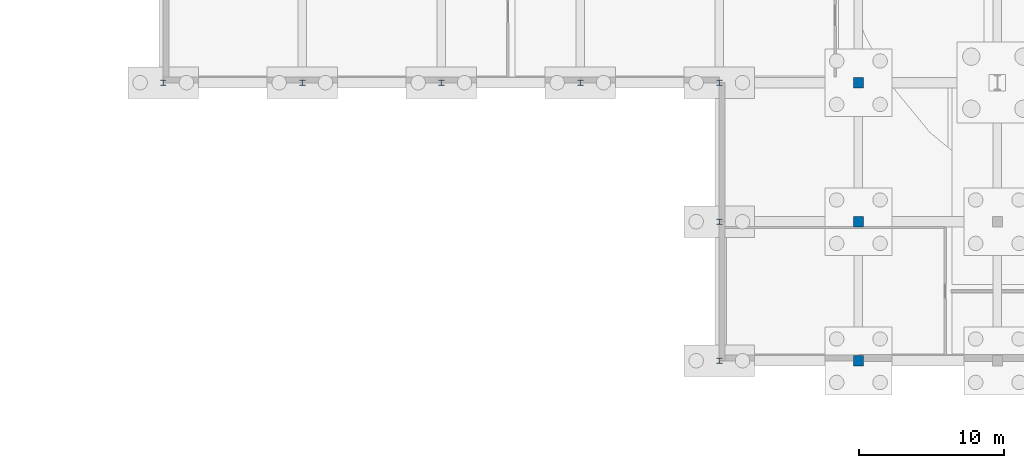
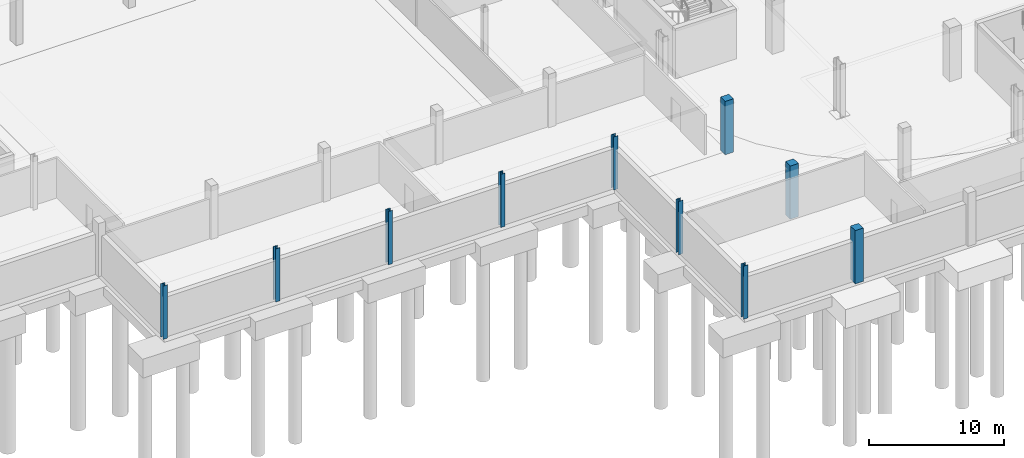
# One storey, part 13 of 67: 10 columns.
"""IFC4 building model written with IfcOpenShell, lengths in metres."""

from ifc_helpers import new_model, si_unit, direction, frame, origin, origin_2d, place, context, subcontext, project, spatial, rectangle, i_section, extrude, material, material_profile, profile_set, type_object, element, save


model = new_model("IFC4")

# Units and contexts
model_context = context("Model", 3, precision=1e-05, world=origin(), true_north=direction((0.0, 1.0)))
body_context = subcontext(model_context, "Body", "Model", "MODEL_VIEW")
ifc_project = project(units=[si_unit("LENGTHUNIT", "METRE"), si_unit("AREAUNIT", "SQUARE_METRE"), si_unit("VOLUMEUNIT", "CUBIC_METRE"), si_unit("PLANEANGLEUNIT", "RADIAN"), si_unit("MASSUNIT", "GRAM", prefix="KILO")], contexts=[model_context])

# Site, building, storey
site_placement = place(None, origin())
site = spatial("IfcSite", under=ifc_project, at=site_placement, CompositionType="ELEMENT")
building_placement = place(site_placement, origin())
building = spatial("IfcBuilding", under=site, at=building_placement, Name="Caelomonte Colonnade Arena", CompositionType="ELEMENT")
storey_placement = place(building_placement, frame((0.0, 0.0, -4.800048828125)))
storey = spatial("IfcBuildingStorey", under=building, at=storey_placement, Name="B1", CompositionType="ELEMENT", Elevation=-4.800048828125)

# Columns
ifc_material_1 = material(Name="Concrete C40/50", Category="concrete")
ifc_material_profile_1 = material_profile(ifc_material_1, rectangle(XDim=0.699951171875, YDim=0.699951171875, at=origin_2d()), Name="RC700X700")
ifc_profile_set_1 = profile_set([ifc_material_profile_1], Name="Concrete C40/50")
column_type_1 = type_object("IfcColumnType", Name="STR-COL-RC07", PredefinedType="COLUMN", material=ifc_profile_set_1)
for number, where, z_axis, x_axis, name in (
    (1, (57.60009765625, 9.60009765625, 0.0), (0.0, 0.0, 1.0), (1.0, 0.0, 0.0), "B1 column (57.6, 9.6)"),
    (2, (57.60009765625, 19.199951171875, 0.0), (0.0, 0.0, 1.0), (1.0, 0.0, 0.0), "B1 column (57.6, 19.2)"),
    (3, (57.60009765625, 28.800048828125, 0.0), (0.0, 0.0, 1.0), (1.0, 0.0, 0.0), "B1 column (57.6, 28.8)"),
):
    element("IfcColumn", number, at=place(storey_placement, frame(where, z_axis=z_axis, x_axis=x_axis)), inside=storey, type_object=column_type_1, Name=name, PredefinedType="COLUMN", context=body_context, shape_type="SweptSolid", body=[
        extrude(rectangle(XDim=0.699951171875, YDim=0.699951171875, at=origin_2d()), origin(), (0.0, 0.0, 1.0), 4.800048828125),
    ])
ifc_material_2 = material(Name="Wide-flange steel ASTM A992 Grade 50", Category="steel")
ifc_material_profile_2 = material_profile(ifc_material_2, i_section(OverallWidth=0.3740234375, OverallDepth=0.372314453125, WebThickness=0.016357421875, FlangeThickness=0.026123046875, FilletRadius=0.01513671875, at=origin_2d()), Name="W14X132")
ifc_profile_set_2 = profile_set([ifc_material_profile_2], Name="Wide-flange steel ASTM A992 Grade 50")
column_type_2 = type_object("IfcColumnType", Name="STR-COL-W14A", PredefinedType="COLUMN", material=ifc_profile_set_2)
for number, where, z_axis, x_axis, name in (
    (4, (9.60009765625, 28.800048828125, 0.0), (0.0, 0.0, 1.0), (1.0, 0.0, 0.0), "B1 column (9.6, 28.8)"),
    (5, (19.199951171875, 28.800048828125, 0.0), (0.0, 0.0, 1.0), (1.0, 0.0, 0.0), "B1 column (19.2, 28.8)"),
    (6, (28.800048828125, 28.800048828125, 0.0), (0.0, 0.0, 1.0), (1.0, 0.0, 0.0), "B1 column (28.8, 28.8)"),
    (7, (38.39990234375, 28.800048828125, 0.0), (0.0, 0.0, 1.0), (1.0, 0.0, 0.0), "B1 column (38.4, 28.8)"),
    (8, (48.0, 9.60009765625, 0.0), (0.0, 0.0, 1.0), (1.0, 0.0, 0.0), "B1 column (48.0, 9.6)"),
    (9, (48.0, 19.199951171875, 0.0), (0.0, 0.0, 1.0), (1.0, 0.0, 0.0), "B1 column (48.0, 19.2)"),
    (10, (48.0, 28.800048828125, 0.0), (0.0, 0.0, 1.0), (1.0, 0.0, 0.0), "B1 column (48.0, 28.8)"),
):
    element("IfcColumn", number, at=place(storey_placement, frame(where, z_axis=z_axis, x_axis=x_axis)), inside=storey, type_object=column_type_2, Name=name, PredefinedType="COLUMN", context=body_context, shape_type="SweptSolid", body=[
        extrude(i_section(OverallWidth=0.3740234375, OverallDepth=0.372314453125, WebThickness=0.016357421875, FlangeThickness=0.026123046875, FilletRadius=0.01513671875, at=origin_2d()), origin(), (0.0, 0.0, 1.0), 4.800048828125),
    ])

save(model, "model.ifc")
